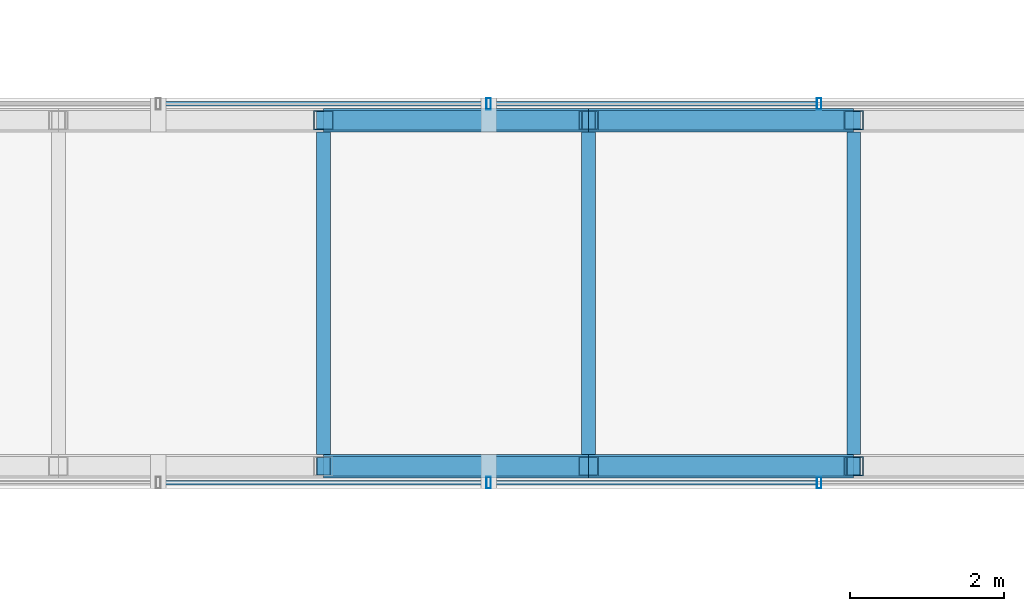
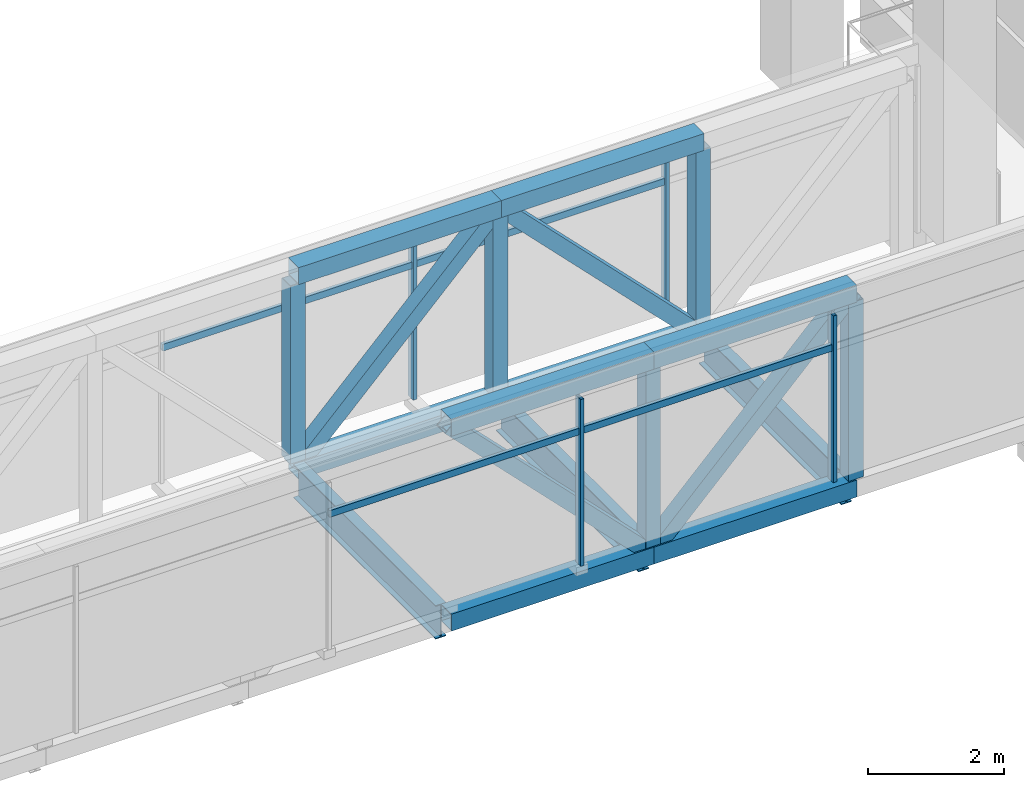
# One storey, part 14 of 34: 25 members, 3 beams, 2 elements without a shape of their own.
"""IFC4 building model written with IfcOpenShell, lengths in metres."""

from ifc_helpers import new_model, si_unit, direction, frame, origin, origin_2d, place, context, subcontext, project, spatial, hollow_rectangle, i_section, extrude, material, material_profile, profile_set, type_object, element, aggregate, save


model = new_model("IFC4")

# Units and contexts
model_context = context("Model", 3, precision=1e-05, world=origin(), true_north=direction((0.0, 1.0)))
body_context = subcontext(model_context, "Body", "Model", "MODEL_VIEW")
ifc_project = project(units=[si_unit("LENGTHUNIT", "METRE"), si_unit("AREAUNIT", "SQUARE_METRE"), si_unit("VOLUMEUNIT", "CUBIC_METRE"), si_unit("PLANEANGLEUNIT", "RADIAN"), si_unit("MASSUNIT", "GRAM", prefix="KILO")], contexts=[model_context])

# Site, building, storey
site_placement = place(None, origin())
site = spatial("IfcSite", under=ifc_project, at=site_placement, CompositionType="ELEMENT")
building_placement = place(site_placement, origin())
building = spatial("IfcBuilding", under=site, at=building_placement, Name="Altepetl Exchange Towers", CompositionType="ELEMENT")
storey_placement = place(building_placement, frame((0.0, 0.0, 190.60009765625)))
storey = spatial("IfcBuildingStorey", under=building, at=storey_placement, Name="L48 Refuge", CompositionType="ELEMENT", Elevation=190.60009765625)

# Members
ifc_material_1 = material(Name="Steel S355", Category="steel")
ifc_material_profile_1 = material_profile(ifc_material_1, hollow_rectangle(XDim=0.304931640625, YDim=0.304931640625, WallThickness=0.01171875, at=origin_2d()), Name="HSS305X305X12.7")
ifc_profile_set_1 = profile_set([ifc_material_profile_1], Name="Steel S355")
member_type_1 = type_object("IfcMemberType", Name="Bridge chord HSS305X305X12.7", PredefinedType="CHORD", material=ifc_profile_set_1)
for number, where, z_axis, x_axis, name in (
    (1, (83.25, 45.0, -0.3525390625), (1.0, 0.0, 0.0), (0.0, 1.0, 0.0), "tr:X:L48:bc-s3"),
    (2, (83.25, 45.0, 3.15234375), (1.0, 0.0, 0.0), (0.0, 1.0, 0.0), "tr:X:L48:tc-s3"),
    (3, (86.699951171875, 45.0, -0.3525390625), (1.0, 0.0, 0.0), (0.0, 1.0, 0.0), "tr:X:L48:bc-s4"),
    (4, (86.699951171875, 45.0, 3.15234375), (1.0, 0.0, 0.0), (0.0, 1.0, 0.0), "tr:X:L48:tc-s4"),
    (5, (83.25, 49.5, -0.3525390625), (1.0, 0.0, 0.0), (0.0, 1.0, 0.0), "tr:X:L48:bc-n3"),
    (6, (83.25, 49.5, 3.15234375), (1.0, 0.0, 0.0), (0.0, 1.0, 0.0), "tr:X:L48:tc-n3"),
    (7, (86.699951171875, 49.5, -0.3525390625), (1.0, 0.0, 0.0), (0.0, 1.0, 0.0), "tr:X:L48:bc-n4"),
    (8, (86.699951171875, 49.5, 3.15234375), (1.0, 0.0, 0.0), (0.0, 1.0, 0.0), "tr:X:L48:tc-n4"),
):
    element("IfcMember", number, at=place(storey_placement, frame(where, z_axis=z_axis, x_axis=x_axis)), inside=storey, type_object=member_type_1, Name=name, PredefinedType="CHORD", context=body_context, shape_type="SweptSolid", body=[
        extrude(hollow_rectangle(XDim=0.304931640625, YDim=0.304931640625, WallThickness=0.01171875, at=origin_2d()), origin(), (0.0, 0.0, 1.0), 3.449951171875),
    ])

# Beams
ifc_material_profile_2 = material_profile(ifc_material_1, i_section(OverallWidth=0.178955078125, OverallDepth=0.60302734375, WebThickness=0.010986328125, FlangeThickness=0.014892578125, at=origin_2d()), Name="W24X62")
ifc_profile_set_2 = profile_set([ifc_material_profile_2], Name="Steel S355")
beam_type = type_object("IfcBeamType", Name="Bridge deck beam W24X62", PredefinedType="BEAM", material=ifc_profile_set_2)
for number, where, z_axis, x_axis, name in (
    (9, (83.25, 45.152587890625, -0.501708984375), (0.0, 1.0, 0.0), (-1.0, 0.0, 0.0), "bm:X:L48:cb3"),
    (10, (86.699951171875, 45.152587890625, -0.501708984375), (0.0, 1.0, 0.0), (-1.0, 0.0, 0.0), "bm:X:L48:cb4"),
    (11, (90.14990234375, 45.152587890625, -0.501708984375), (0.0, 1.0, 0.0), (-1.0, 0.0, 0.0), "bm:X:L48:cb5"),
):
    element("IfcBeam", number, at=place(storey_placement, frame(where, z_axis=z_axis, x_axis=x_axis)), inside=storey, type_object=beam_type, Name=name, PredefinedType="BEAM", context=body_context, shape_type="SweptSolid", body=[
        extrude(i_section(OverallWidth=0.178955078125, OverallDepth=0.60302734375, WebThickness=0.010986328125, FlangeThickness=0.014892578125, at=origin_2d()), origin(), (0.0, 0.0, 1.0), 4.19482421875),
    ])

# Members
ifc_material_profile_3 = material_profile(ifc_material_1, hollow_rectangle(XDim=0.25390625, YDim=0.25390625, WallThickness=0.01171875, at=origin_2d()), Name="HSS254X254X12.7")
ifc_profile_set_3 = profile_set([ifc_material_profile_3], Name="Steel S355")
member_type_2 = type_object("IfcMemberType", Name="Bridge diagonal HSS254X254X12.7", PredefinedType="BRACE", material=ifc_profile_set_3)
for number, where, z_axis, x_axis, name in (
    (12, (83.25, 45.0, 3.15234375), (0.701499930937, 0.0, -0.712669521515), (0.0, 1.0, 0.0), "tr:X:L48:dg-s3"),
    (13, (86.699951171875, 45.0, -0.3525390625), (0.701499930937, 0.0, 0.712669521515), (0.0, 1.0, 0.0), "tr:X:L48:dg-s4"),
    (14, (83.25, 49.5, -0.3525390625), (0.701499930937, 0.0, 0.712669521515), (0.0, 1.0, 0.0), "tr:X:L48:dg-n3"),
    (15, (86.699951171875, 49.5, 3.15234375), (0.701499930937, 0.0, -0.712669521515), (0.0, 1.0, 0.0), "tr:X:L48:dg-n4"),
):
    element("IfcMember", number, at=place(storey_placement, frame(where, z_axis=z_axis, x_axis=x_axis)), inside=storey, type_object=member_type_2, Name=name, PredefinedType="BRACE", context=body_context, shape_type="SweptSolid", body=[
        extrude(hollow_rectangle(XDim=0.25390625, YDim=0.25390625, WallThickness=0.01171875, at=origin_2d()), origin(), (0.0, 0.0, 1.0), 4.91796875),
    ])
ifc_material_profile_4 = material_profile(ifc_material_1, hollow_rectangle(XDim=0.25390625, YDim=0.25390625, WallThickness=0.01171875, at=origin_2d()), Name="HSS254X254X12.7")
ifc_profile_set_4 = profile_set([ifc_material_profile_4], Name="Steel S355")
member_type_3 = type_object("IfcMemberType", Name="Bridge post HSS254X254X12.7", PredefinedType="POST", material=ifc_profile_set_4)
for number, where, name in (
    (16, (86.699951171875, 45.0, -0.2001953125), "tr:X:L48:ps-s4"),
    (17, (90.14990234375, 45.0, -0.2001953125), "tr:X:L48:ps-s5"),
    (18, (83.25, 49.5, -0.2001953125), "tr:X:L48:ps-n3"),
    (19, (86.699951171875, 49.5, -0.2001953125), "tr:X:L48:ps-n4"),
    (20, (90.14990234375, 49.5, -0.2001953125), "tr:X:L48:ps-n5"),
):
    element("IfcMember", number, at=place(storey_placement, frame(where)), inside=storey, type_object=member_type_3, Name=name, PredefinedType="POST", context=body_context, shape_type="SweptSolid", body=[
        extrude(hollow_rectangle(XDim=0.25390625, YDim=0.25390625, WallThickness=0.01171875, at=origin_2d()), origin(), (0.0, 0.0, 1.0), 3.2001953125),
    ])

# Curtain wall, members
ifc_material_2 = material(Name="Aluminium 6063-T6 glazing", Category="aluminium")
curtain_wall_type = type_object("IfcCurtainWallType", Name="Bridge enclosure system", PredefinedType="NOTDEFINED", material=ifc_material_2)
curtain_wall_1_placement = place(storey_placement, origin())
curtain_wall_1 = element("IfcCurtainWall", 21, at=curtain_wall_1_placement, inside=storey, type_object=curtain_wall_type, Name="CW6 run", PredefinedType="NOTDEFINED")
ifc_material_3 = material(Name="Aluminium 6063-T6", Category="aluminium")
ifc_material_profile_5 = material_profile(ifc_material_3, hollow_rectangle(XDim=0.06005859375, YDim=0.14990234375, WallThickness=0.0029296875, at=origin_2d()), Name="Mullion 60x150 aluminium")
ifc_profile_set_5 = profile_set([ifc_material_profile_5], Name="Aluminium 6063-T6")
member_type_4 = type_object("IfcMemberType", Name="Mullion 60x150 aluminium", PredefinedType="MULLION", material=ifc_profile_set_5)
member_1_placement = place(storey_placement, frame((85.39990234375, 44.784912109375, 0.0)))
member_1 = element("IfcMember", 22, at=member_1_placement, type_object=member_type_4, Name="MU1 mullion", PredefinedType="MULLION", context=body_context, shape_type="SweptSolid", body=[
    extrude(hollow_rectangle(XDim=0.06005859375, YDim=0.14990234375, WallThickness=0.0029296875, at=origin_2d()), origin(), (0.0, 0.0, 1.0), 3.0),
])
member_2_placement = place(storey_placement, frame((89.699951171875, 44.784912109375, 0.0)))
member_2 = element("IfcMember", 23, at=member_2_placement, type_object=member_type_4, Name="MU1 mullion", PredefinedType="MULLION", context=body_context, shape_type="SweptSolid", body=[
    extrude(hollow_rectangle(XDim=0.06005859375, YDim=0.14990234375, WallThickness=0.0029296875, at=origin_2d()), origin(), (0.0, 0.0, 1.0), 3.0),
])

curtain_wall_2_placement = place(storey_placement, origin())
curtain_wall_2 = element("IfcCurtainWall", 24, at=curtain_wall_2_placement, inside=storey, type_object=curtain_wall_type, Name="CW6 run", PredefinedType="NOTDEFINED")
member_3_placement = place(storey_placement, frame((85.39990234375, 49.715087890625, 0.0)))
member_3 = element("IfcMember", 25, at=member_3_placement, type_object=member_type_4, Name="MU1 mullion", PredefinedType="MULLION", context=body_context, shape_type="SweptSolid", body=[
    extrude(hollow_rectangle(XDim=0.06005859375, YDim=0.14990234375, WallThickness=0.0029296875, at=origin_2d()), origin(), (0.0, 0.0, 1.0), 3.0),
])
member_4_placement = place(storey_placement, frame((89.699951171875, 49.715087890625, 0.0)))
member_4 = element("IfcMember", 26, at=member_4_placement, type_object=member_type_4, Name="MU1 mullion", PredefinedType="MULLION", context=body_context, shape_type="SweptSolid", body=[
    extrude(hollow_rectangle(XDim=0.06005859375, YDim=0.14990234375, WallThickness=0.0029296875, at=origin_2d()), origin(), (0.0, 0.0, 1.0), 3.0),
])

# Member
ifc_material_profile_6 = material_profile(ifc_material_3, hollow_rectangle(XDim=0.06005859375, YDim=0.1201171875, WallThickness=0.0029296875, at=origin_2d()), Name="Transom 60x120 aluminium")
ifc_profile_set_6 = profile_set([ifc_material_profile_6], Name="Aluminium 6063-T6")
member_type_5 = type_object("IfcMemberType", Name="Transom 60x120 aluminium", PredefinedType="USERDEFINED", material=ifc_profile_set_6)
member_5_placement = place(storey_placement, frame((81.1298828125, 44.784912109375, 2.39990234375), z_axis=(1.0, 0.0, 0.0), x_axis=(0.0, 1.0, 0.0)))
member_5 = element("IfcMember", 27, at=member_5_placement, type_object=member_type_5, Name="TR1 transom", ObjectType="TRANSOM", PredefinedType="USERDEFINED", context=body_context, shape_type="SweptSolid", body=[
    extrude(hollow_rectangle(XDim=0.06005859375, YDim=0.1201171875, WallThickness=0.0029296875, at=origin_2d()), origin(), (0.0, 0.0, 1.0), 4.240234375),
])

member_6_placement = place(storey_placement, frame((85.429931640625, 44.784912109375, 2.39990234375), z_axis=(1.0, 0.0, 0.0), x_axis=(0.0, 1.0, 0.0)))
member_6 = element("IfcMember", 28, at=member_6_placement, type_object=member_type_5, Name="TR1 transom", ObjectType="TRANSOM", PredefinedType="USERDEFINED", context=body_context, shape_type="SweptSolid", body=[
    extrude(hollow_rectangle(XDim=0.06005859375, YDim=0.1201171875, WallThickness=0.0029296875, at=origin_2d()), origin(), (0.0, 0.0, 1.0), 4.239990234375),
])

aggregate(curtain_wall_1, [member_1, member_2, member_5, member_6])

member_7_placement = place(storey_placement, frame((81.1298828125, 49.715087890625, 2.39990234375), z_axis=(1.0, 0.0, 0.0), x_axis=(0.0, 1.0, 0.0)))
member_7 = element("IfcMember", 29, at=member_7_placement, type_object=member_type_5, Name="TR1 transom", ObjectType="TRANSOM", PredefinedType="USERDEFINED", context=body_context, shape_type="SweptSolid", body=[
    extrude(hollow_rectangle(XDim=0.06005859375, YDim=0.1201171875, WallThickness=0.0029296875, at=origin_2d()), origin(), (0.0, 0.0, 1.0), 4.240234375),
])

member_8_placement = place(storey_placement, frame((85.429931640625, 49.715087890625, 2.39990234375), z_axis=(1.0, 0.0, 0.0), x_axis=(0.0, 1.0, 0.0)))
member_8 = element("IfcMember", 30, at=member_8_placement, type_object=member_type_5, Name="TR1 transom", ObjectType="TRANSOM", PredefinedType="USERDEFINED", context=body_context, shape_type="SweptSolid", body=[
    extrude(hollow_rectangle(XDim=0.06005859375, YDim=0.1201171875, WallThickness=0.0029296875, at=origin_2d()), origin(), (0.0, 0.0, 1.0), 4.239990234375),
])

aggregate(curtain_wall_2, [member_3, member_4, member_7, member_8])

save(model, "model.ifc")
